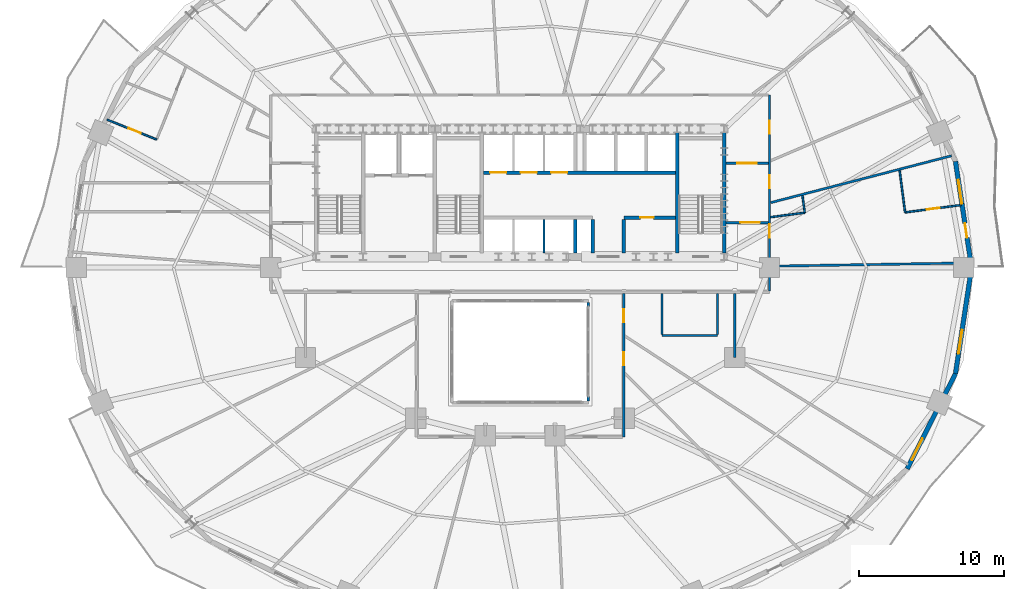
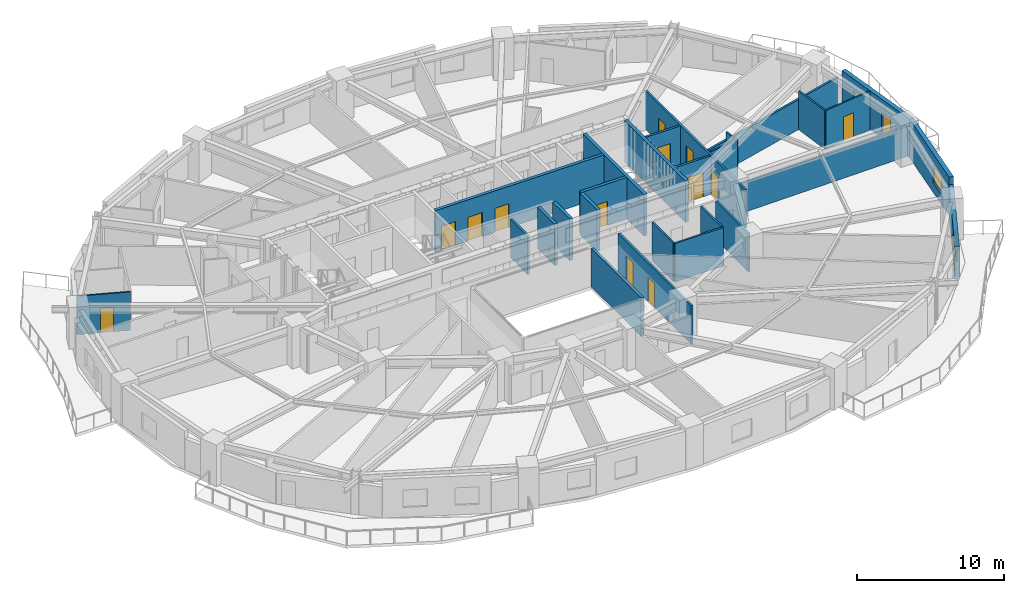
# One storey, part 11 of 17: 27 walls, 14 doors, 3 windows, 17 openings.
"""IFC4 building model written with IfcOpenShell, lengths in metres."""

from ifc_helpers import new_model, si_unit, direction, frame, frame_2d, origin, place, context, subcontext, project, spatial, rectangle, extrude, material, layer, layer_set, type_object, element, fill, save


model = new_model("IFC4")

# Units and contexts
model_context = context("Model", 3, precision=1e-05, world=origin(), true_north=direction((0.0, 1.0)))
body_context = subcontext(model_context, "Body", "Model", "MODEL_VIEW")
ifc_project = project(units=[si_unit("LENGTHUNIT", "METRE"), si_unit("AREAUNIT", "SQUARE_METRE"), si_unit("VOLUMEUNIT", "CUBIC_METRE"), si_unit("PLANEANGLEUNIT", "RADIAN"), si_unit("MASSUNIT", "GRAM", prefix="KILO")], contexts=[model_context])

# Site, building, storey
site_placement = place(None, origin())
site = spatial("IfcSite", under=ifc_project, at=site_placement, CompositionType="ELEMENT")
building_placement = place(site_placement, origin())
building = spatial("IfcBuilding", under=site, at=building_placement, Name="Haldorwick Loom Tower", CompositionType="ELEMENT")
storey_placement = place(building_placement, frame((0.0, 0.0, 34.35009765625)))
storey = spatial("IfcBuildingStorey", under=building, at=storey_placement, Name="L08", CompositionType="ELEMENT", Elevation=34.35009765625)

# Wall, openings, door, window
ifc_material_1 = material(Name="Pressed Clay Face Brick and Insulated Masonry Backup Assembly", Category="masonry")
ifc_layer_1 = layer(ifc_material_1, 0.320068359375, Name="Pressed Clay Face Brick and Insulated Masonry Backup Assembly", Category="masonry")
ifc_layer_set_1 = layer_set([ifc_layer_1], Name="Pressed Clay Face Brick and Insulated Masonry Backup Assembly")
wall_type_1 = type_object("IfcWallType", Name="ARC-WL-EXT320", PredefinedType="STANDARD", material=ifc_layer_set_1)
wall_1_placement = place(storey_placement, frame((67.135986328125, 26.0, 0.0), z_axis=(0.0, 0.0, 1.0), x_axis=(-0.150476322528, 0.988613613278, 0.0)))
wall_1 = element("IfcWall", 1, at=wall_1_placement, inside=storey, type_object=wall_type_1, Name="L08 Brick Pier and Spandrel Wall 1", PredefinedType="STANDARD", context=body_context, shape_type="SweptSolid", body=[
    extrude(rectangle(XDim=7.40478515625, YDim=0.320068359375, at=frame_2d((3.702392578125, 0.0))), origin(), (0.0, 0.0, 1.0), 3.2099609375),
])
opening_1_placement = place(wall_1_placement, frame((2.087646484375, 0.0, 0.0)))
opening_1 = element("IfcOpeningElement", 2, at=opening_1_placement, cuts=wall_1, Name="Opening D-BL10", PredefinedType="OPENING", context=body_context, shape_type="SweptSolid", body=[
    extrude(rectangle(XDim=1.0, YDim=2.0400390625, at=frame_2d((0.5, 1.02001953125))), frame((0.0, 0.169921875, 0.0), z_axis=(0.0, -1.0, 0.0), x_axis=(1.0, 0.0, 0.0)), (0.0, 0.0, 1.0), 0.340087890625),
])
opening_2_placement = place(wall_1_placement, frame((4.459716796875, 0.0, 0.800048828125)))
opening_2 = element("IfcOpeningElement", 3, at=opening_2_placement, cuts=wall_1, Name="Opening W-01B", PredefinedType="OPENING", context=body_context, shape_type="SweptSolid", body=[
    extrude(rectangle(XDim=1.64990234375, YDim=1.449951171875, at=frame_2d((0.824951171875, 0.72509765625))), frame((0.0, 0.169921875, 0.0), z_axis=(0.0, -1.0, 0.0), x_axis=(1.0, 0.0, 0.0)), (0.0, 0.0, 1.0), 0.340087890625),
])
ifc_material_2 = material(Name="Thermally Broken Anodized Aluminium Curtain Wall Framing", Category="aluminium")
door_type_1 = type_object("IfcDoorType", Name="ARC-DR-BAL100", OperationType="NOTDEFINED", PredefinedType="DOOR", material=ifc_material_2)
door_1_placement = place(opening_1_placement, origin())
door_1 = element("IfcDoor", 4, at=door_1_placement, inside=storey, type_object=door_type_1, Name="L08 Outdoor Terrace Door SLB-L08-BAL_ENE", OperationType="SINGLE_SWING_RIGHT", OverallHeight=2.0400390625, OverallWidth=1.0, PredefinedType="DOOR", context=body_context, shape_type="SweptSolid", body=[
    extrude(rectangle(XDim=1.0, YDim=2.0400390625, at=frame_2d((0.5, 1.02001953125))), frame((0.0, 0.02490234375, 0.0), z_axis=(0.0, -1.0, 0.0), x_axis=(1.0, 0.0, 0.0)), (0.0, 0.0, 1.0), 0.050048828125),
])
fill(opening_1, door_1)
ifc_material_3 = material(Name="Triple-Glazed Low-E Argon Insulated Glazing Unit", Category="glass")
window_type = type_object("IfcWindowType", Name="ARC-WIN-W165", PartitioningType="SINGLE_PANEL", PredefinedType="WINDOW", material=ifc_material_3)
window_1_placement = place(opening_2_placement, origin())
window_1 = element("IfcWindow", 5, at=window_1_placement, inside=storey, type_object=window_type, Name="L08 Deep-Set Zone 7A Window 1", OverallHeight=1.449951171875, OverallWidth=1.64990234375, PartitioningType="SINGLE_PANEL", PredefinedType="WINDOW", context=body_context, shape_type="SweptSolid", body=[
    extrude(rectangle(XDim=1.64990234375, YDim=1.449951171875, at=frame_2d((0.824951171875, 0.72509765625))), frame((0.0, 0.030029296875, 0.0), z_axis=(0.0, -1.0, 0.0), x_axis=(1.0, 0.0, 0.0)), (0.0, 0.0, 1.0), 0.06005859375),
])
fill(opening_2, window_1)

# Wall, opening, window
wall_2_placement = place(storey_placement, frame((62.688720703125, 12.119140625, 0.0), z_axis=(0.0, 0.0, 1.0), x_axis=(0.452950855928, 0.891535485617, 0.0)))
wall_2 = element("IfcWall", 6, at=wall_2_placement, inside=storey, type_object=wall_type_1, Name="L08 Brick Pier and Spandrel Wall 23", PredefinedType="STANDARD", context=body_context, shape_type="SweptSolid", body=[
    extrude(rectangle(XDim=7.3583984375, YDim=0.320068359375, at=frame_2d((3.67919921875, 0.0))), origin(), (0.0, 0.0, 1.0), 2.56884765625),
])
opening_3_placement = place(wall_2_placement, frame((0.69921875, 0.0, 0.800048828125)))
opening_3 = element("IfcOpeningElement", 7, at=opening_3_placement, cuts=wall_2, Name="Opening W-01B", PredefinedType="OPENING", context=body_context, shape_type="SweptSolid", body=[
    extrude(rectangle(XDim=1.64990234375, YDim=1.449951171875, at=frame_2d((0.824951171875, 0.72509765625))), frame((0.0, 0.169921875, 0.0), z_axis=(0.0, -1.0, 0.0), x_axis=(1.0, 0.0, 0.0)), (0.0, 0.0, 1.0), 0.340087890625),
])
window_2_placement = place(opening_3_placement, origin())
window_2 = element("IfcWindow", 8, at=window_2_placement, inside=storey, type_object=window_type, Name="L08 Deep-Set Zone 7A Window 23", OverallHeight=1.449951171875, OverallWidth=1.64990234375, PartitioningType="SINGLE_PANEL", PredefinedType="WINDOW", context=body_context, shape_type="SweptSolid", body=[
    extrude(rectangle(XDim=1.64990234375, YDim=1.449951171875, at=frame_2d((0.824951171875, 0.72509765625))), frame((0.0, 0.030029296875, 0.0), z_axis=(0.0, -1.0, 0.0), x_axis=(1.0, 0.0, 0.0)), (0.0, 0.0, 1.0), 0.06005859375),
])
fill(opening_3, window_2)

wall_3_placement = place(storey_placement, frame((66.021728515625, 18.679443359375, 0.0), z_axis=(0.0, 0.0, 1.0), x_axis=(0.150476322528, 0.988613613278, 0.0)))
wall_3 = element("IfcWall", 9, at=wall_3_placement, inside=storey, type_object=wall_type_1, Name="L08 Brick Pier and Spandrel Wall 24", PredefinedType="STANDARD", context=body_context, shape_type="SweptSolid", body=[
    extrude(rectangle(XDim=7.40478515625, YDim=0.320068359375, at=frame_2d((3.702392578125, 0.0))), origin(), (0.0, 0.0, 1.0), 3.2099609375),
])
opening_4_placement = place(wall_3_placement, frame((1.396484375, 0.0, 0.800048828125)))
opening_4 = element("IfcOpeningElement", 10, at=opening_4_placement, cuts=wall_3, Name="Opening W-01B", PredefinedType="OPENING", context=body_context, shape_type="SweptSolid", body=[
    extrude(rectangle(XDim=1.64990234375, YDim=1.449951171875, at=frame_2d((0.824951171875, 0.72509765625))), frame((0.0, 0.169921875, 0.0), z_axis=(0.0, -1.0, 0.0), x_axis=(1.0, 0.0, 0.0)), (0.0, 0.0, 1.0), 0.340087890625),
])
window_3_placement = place(opening_4_placement, origin())
window_3 = element("IfcWindow", 11, at=window_3_placement, inside=storey, type_object=window_type, Name="L08 Deep-Set Zone 7A Window 24", OverallHeight=1.449951171875, OverallWidth=1.64990234375, PartitioningType="SINGLE_PANEL", PredefinedType="WINDOW", context=body_context, shape_type="SweptSolid", body=[
    extrude(rectangle(XDim=1.64990234375, YDim=1.449951171875, at=frame_2d((0.824951171875, 0.72509765625))), frame((0.0, 0.030029296875, 0.0), z_axis=(0.0, -1.0, 0.0), x_axis=(1.0, 0.0, 0.0)), (0.0, 0.0, 1.0), 0.06005859375),
])
fill(opening_4, window_3)

# Wall, openings, doors
ifc_material_4 = material(Name="Fire-Rated Type X Gypsum Stud Assembly EI 60")
ifc_layer_2 = layer(ifc_material_4, 0.159912109375, Name="Fire-Rated Type X Gypsum Stud Assembly EI 60")
ifc_layer_set_2 = layer_set([ifc_layer_2], Name="Fire-Rated Type X Gypsum Stud Assembly EI 60")
wall_type_2 = type_object("IfcWallType", Name="ARC-WL-FIRE160", PredefinedType="PARTITIONING", material=ifc_layer_set_2)
wall_4_placement = place(storey_placement, frame((53.199951171875, 24.383056640625, 0.0), z_axis=(0.0, 0.0, 1.0), x_axis=(0.0, 1.0, 0.0)))
wall_4 = element("IfcWall", 12, at=wall_4_placement, inside=storey, type_object=wall_type_2, Name="L08 Residential Fire Partition L08-CR-E0", PredefinedType="PARTITIONING", context=body_context, shape_type="SweptSolid", body=[
    extrude(rectangle(XDim=13.516845703125, YDim=0.159912109375, at=frame_2d((6.75830078125, 0.0))), origin(), (0.0, 0.0, 1.0), 3.19482421875),
])
opening_5_placement = place(wall_4_placement, frame((10.85107421875, 0.0, 0.0)))
opening_5 = element("IfcOpeningElement", 13, at=opening_5_placement, cuts=wall_4, Name="Opening D-FD60A", PredefinedType="OPENING", context=body_context, shape_type="SweptSolid", body=[
    extrude(rectangle(XDim=0.89990234375, YDim=2.0, at=frame_2d((0.449951171875, 1.0))), frame((0.0, 0.08984375, 0.0), z_axis=(0.0, -1.0, 0.0), x_axis=(1.0, 0.0, 0.0)), (0.0, 0.0, 1.0), 0.179931640625),
])
opening_6_placement = place(wall_4_placement, frame((3.661865234375, 0.0, 0.0)))
opening_6 = element("IfcOpeningElement", 14, at=opening_6_placement, cuts=wall_4, Name="Opening D-FL95", PredefinedType="OPENING", context=body_context, shape_type="SweptSolid", body=[
    extrude(rectangle(XDim=0.949951171875, YDim=2.0400390625, at=frame_2d((0.47509765625, 1.02001953125))), frame((0.0, 0.08984375, 0.0), z_axis=(0.0, -1.0, 0.0), x_axis=(1.0, 0.0, 0.0)), (0.0, 0.0, 1.0), 0.179931640625),
])
opening_7_placement = place(wall_4_placement, frame((7.083984375, 0.0, 0.0)))
opening_7 = element("IfcOpeningElement", 15, at=opening_7_placement, cuts=wall_4, Name="Opening D-FD60A", PredefinedType="OPENING", context=body_context, shape_type="SweptSolid", body=[
    extrude(rectangle(XDim=0.89990234375, YDim=2.0, at=frame_2d((0.449951171875, 1.0))), frame((0.0, 0.08984375, 0.0), z_axis=(0.0, -1.0, 0.0), x_axis=(1.0, 0.0, 0.0)), (0.0, 0.0, 1.0), 0.179931640625),
])
ifc_material_5 = material(Name="Hollow Steel Fire Door Assembly", Category="steel")
door_type_2 = type_object("IfcDoorType", Name="ARC-DR-FD60-90", OperationType="NOTDEFINED", PredefinedType="DOOR", material=ifc_material_5)
door_2_placement = place(opening_5_placement, origin())
door_2 = element("IfcDoor", 16, at=door_2_placement, inside=storey, type_object=door_type_2, Name="L08 L08 North Residential Corridor to Shared Resident Dining Hall 10 Doo", OperationType="SINGLE_SWING_LEFT", OverallHeight=2.0, OverallWidth=0.89990234375, PredefinedType="DOOR", context=body_context, shape_type="SweptSolid", body=[
    extrude(rectangle(XDim=0.89990234375, YDim=2.0, at=frame_2d((0.449951171875, 1.0))), frame((0.0, 0.02490234375, 0.0), z_axis=(0.0, -1.0, 0.0), x_axis=(1.0, 0.0, 0.0)), (0.0, 0.0, 1.0), 0.050048828125),
])
fill(opening_5, door_2)
door_3_placement = place(opening_7_placement, origin())
door_3 = element("IfcDoor", 17, at=door_3_placement, inside=storey, type_object=door_type_2, Name="L08 L08 East Residential Corridor to Shared Resident Dining Hall 9 Door", OperationType="SINGLE_SWING_RIGHT", OverallHeight=2.0, OverallWidth=0.89990234375, PredefinedType="DOOR", context=body_context, shape_type="SweptSolid", body=[
    extrude(rectangle(XDim=0.89990234375, YDim=2.0, at=frame_2d((0.449951171875, 1.0))), frame((0.0, 0.02490234375, 0.0), z_axis=(0.0, -1.0, 0.0), x_axis=(1.0, 0.0, 0.0)), (0.0, 0.0, 1.0), 0.050048828125),
])
fill(opening_7, door_3)
ifc_material_6 = material(Name="Solid Core Birch Architectural Door")
door_type_3 = type_object("IfcDoorType", Name="ARC-DR-FLAT95", OperationType="NOTDEFINED", PredefinedType="DOOR", material=ifc_material_6)
door_4_placement = place(opening_6_placement, origin())
door_4 = element("IfcDoor", 18, at=door_4_placement, inside=storey, type_object=door_type_3, Name="L08 L08 Central Residential Corridor to Unit 08H Kitchen and Studio Livi", OperationType="SINGLE_SWING_RIGHT", OverallHeight=2.0400390625, OverallWidth=0.949951171875, PredefinedType="DOOR", context=body_context, shape_type="SweptSolid", body=[
    extrude(rectangle(XDim=0.949951171875, YDim=2.0400390625, at=frame_2d((0.47509765625, 1.02001953125))), frame((0.0, 0.02490234375, 0.0), z_axis=(0.0, -1.0, 0.0), x_axis=(1.0, 0.0, 0.0)), (0.0, 0.0, 1.0), 0.050048828125),
])
fill(opening_6, door_4)

# Wall, opening, door
wall_5_placement = place(storey_placement, frame((50.193115234375, 29.10009765625, 0.0), z_axis=(0.0, 0.0, 1.0), x_axis=(1.0, 0.0, 0.0)))
wall_5 = element("IfcWall", 19, at=wall_5_placement, inside=storey, type_object=wall_type_2, Name="L08 Residential Fire Partition L08-CR-ESJ", PredefinedType="PARTITIONING", context=body_context, shape_type="SweptSolid", body=[
    extrude(rectangle(XDim=2.923828125, YDim=0.159912109375, at=frame_2d((1.4619140625, 0.0))), origin(), (0.0, 0.0, 1.0), 3.19482421875),
])
opening_8_placement = place(wall_5_placement, frame((0.99560546875, 0.0, 0.0)))
opening_8 = element("IfcOpeningElement", 20, at=opening_8_placement, cuts=wall_5, Name="Opening D-CR15", PredefinedType="OPENING", context=body_context, shape_type="SweptSolid", body=[
    extrude(rectangle(XDim=1.35009765625, YDim=2.0, at=frame_2d((0.675048828125, 1.0))), frame((0.0, 0.08984375, 0.0), z_axis=(0.0, -1.0, 0.0), x_axis=(1.0, 0.0, 0.0)), (0.0, 0.0, 1.0), 0.179931640625),
])
ifc_material_7 = material(Name="Thermally Broken Anodized Aluminium and Tempered Glass", Category="aluminium")
door_type_4 = type_object("IfcDoorType", Name="ARC-DR-COR150", OperationType="NOTDEFINED", PredefinedType="DOOR", material=ifc_material_7)
door_5_placement = place(opening_8_placement, origin())
door_5 = element("IfcDoor", 21, at=door_5_placement, inside=storey, type_object=door_type_4, Name="L08 L08 East Residential Corridor to L08 Central Residential Corridor Do", OperationType="DOUBLE_DOOR_SINGLE_SWING", OverallHeight=2.0, OverallWidth=1.35009765625, PredefinedType="DOOR", context=body_context, shape_type="SweptSolid", body=[
    extrude(rectangle(XDim=1.35009765625, YDim=2.0, at=frame_2d((0.675048828125, 1.0))), frame((0.0, 0.02490234375, 0.0), z_axis=(0.0, -1.0, 0.0), x_axis=(1.0, 0.0, 0.0)), (0.0, 0.0, 1.0), 0.050048828125),
])
fill(opening_8, door_5)

wall_6_placement = place(storey_placement, frame((50.193115234375, 33.199951171875, 0.0), z_axis=(0.0, 0.0, 1.0), x_axis=(1.0, 0.0, 0.0)))
wall_6 = element("IfcWall", 22, at=wall_6_placement, inside=storey, type_object=wall_type_2, Name="L08 Residential Fire Partition L08-CR-ENJ", PredefinedType="PARTITIONING", context=body_context, shape_type="SweptSolid", body=[
    extrude(rectangle(XDim=2.923828125, YDim=0.159912109375, at=frame_2d((1.4619140625, 0.0))), origin(), (0.0, 0.0, 1.0), 3.19482421875),
])
opening_9_placement = place(wall_6_placement, frame((0.787109375, 0.0, 0.0)))
opening_9 = element("IfcOpeningElement", 23, at=opening_9_placement, cuts=wall_6, Name="Opening D-CR15", PredefinedType="OPENING", context=body_context, shape_type="SweptSolid", body=[
    extrude(rectangle(XDim=1.35009765625, YDim=2.0, at=frame_2d((0.675048828125, 1.0))), frame((0.0, 0.08984375, 0.0), z_axis=(0.0, -1.0, 0.0), x_axis=(1.0, 0.0, 0.0)), (0.0, 0.0, 1.0), 0.179931640625),
])
door_6_placement = place(opening_9_placement, origin())
door_6 = element("IfcDoor", 24, at=door_6_placement, inside=storey, type_object=door_type_4, Name="L08 L08 North Residential Corridor to L08 East Residential Corridor Door", OperationType="DOUBLE_DOOR_SINGLE_SWING", OverallHeight=2.0, OverallWidth=1.35009765625, PredefinedType="DOOR", context=body_context, shape_type="SweptSolid", body=[
    extrude(rectangle(XDim=1.35009765625, YDim=2.0, at=frame_2d((0.675048828125, 1.0))), frame((0.0, 0.02490234375, 0.0), z_axis=(0.0, -1.0, 0.0), x_axis=(1.0, 0.0, 0.0)), (0.0, 0.0, 1.0), 0.050048828125),
])
fill(opening_9, door_6)

# Wall, openings, doors
wall_7_placement = place(storey_placement, frame((43.14990234375, 14.300048828125, 0.0), z_axis=(0.0, 0.0, 1.0), x_axis=(0.0, 1.0, 0.0)))
wall_7 = element("IfcWall", 25, at=wall_7_placement, inside=storey, type_object=wall_type_2, Name="L08 Residential Fire Partition L08-CR-AE", PredefinedType="PARTITIONING", context=body_context, shape_type="SweptSolid", body=[
    extrude(rectangle(XDim=9.9169921875, YDim=0.159912109375, at=frame_2d((4.95849609375, 0.0))), origin(), (0.0, 0.0, 1.0), 3.19482421875),
])
opening_10_placement = place(wall_7_placement, frame((7.92431640625, 0.0, 0.0)))
opening_10 = element("IfcOpeningElement", 26, at=opening_10_placement, cuts=wall_7, Name="Opening D-FD60A", PredefinedType="OPENING", context=body_context, shape_type="SweptSolid", body=[
    extrude(rectangle(XDim=0.89990234375, YDim=2.0, at=frame_2d((0.449951171875, 1.0))), frame((0.0, 0.08984375, 0.0), z_axis=(0.0, -1.0, 0.0), x_axis=(1.0, 0.0, 0.0)), (0.0, 0.0, 1.0), 0.179931640625),
])
opening_11_placement = place(wall_7_placement, frame((4.94921875, 0.0, 0.0)))
opening_11 = element("IfcOpeningElement", 27, at=opening_11_placement, cuts=wall_7, Name="Opening D-FD60A", PredefinedType="OPENING", context=body_context, shape_type="SweptSolid", body=[
    extrude(rectangle(XDim=0.89990234375, YDim=2.0, at=frame_2d((0.449951171875, 1.0))), frame((0.0, 0.08984375, 0.0), z_axis=(0.0, -1.0, 0.0), x_axis=(1.0, 0.0, 0.0)), (0.0, 0.0, 1.0), 0.179931640625),
])
door_7_placement = place(opening_10_placement, origin())
door_7 = element("IfcDoor", 28, at=door_7_placement, inside=storey, type_object=door_type_2, Name="L08 L08 South Atrium Corridor to Shared Resident Dining Hall 4 Door", OperationType="SINGLE_SWING_LEFT", OverallHeight=2.0, OverallWidth=0.89990234375, PredefinedType="DOOR", context=body_context, shape_type="SweptSolid", body=[
    extrude(rectangle(XDim=0.89990234375, YDim=2.0, at=frame_2d((0.449951171875, 1.0))), frame((0.0, 0.02490234375, 0.0), z_axis=(0.0, -1.0, 0.0), x_axis=(1.0, 0.0, 0.0)), (0.0, 0.0, 1.0), 0.050048828125),
])
fill(opening_10, door_7)
door_8_placement = place(opening_11_placement, origin())
door_8 = element("IfcDoor", 29, at=door_8_placement, inside=storey, type_object=door_type_2, Name="L08 L08 South Atrium Corridor to Community Music Hall 2 Door", OperationType="SINGLE_SWING_LEFT", OverallHeight=2.0, OverallWidth=0.89990234375, PredefinedType="DOOR", context=body_context, shape_type="SweptSolid", body=[
    extrude(rectangle(XDim=0.89990234375, YDim=2.0, at=frame_2d((0.449951171875, 1.0))), frame((0.0, 0.02490234375, 0.0), z_axis=(0.0, -1.0, 0.0), x_axis=(1.0, 0.0, 0.0)), (0.0, 0.0, 1.0), 0.050048828125),
])
fill(opening_11, door_8)

# Walls
wall_8_placement = place(storey_placement, frame((50.800048828125, 24.217041015625, 0.0), z_axis=(0.0, 0.0, 1.0), x_axis=(0.0, -1.0, 0.0)))
element("IfcWall", 30, at=wall_8_placement, inside=storey, type_object=wall_type_2, Name="L08 Residential Fire Partition L08-ICA-01", PredefinedType="PARTITIONING", context=body_context, shape_type="SweptSolid", body=[
    extrude(rectangle(XDim=4.4169921875, YDim=0.159912109375, at=frame_2d((2.20849609375, 0.0))), origin(), (0.0, 0.0, 1.0), 3.19482421875),
])
wall_9_placement = place(storey_placement, frame((53.282958984375, 30.477294921875, 0.0), z_axis=(0.0, 0.0, 1.0), x_axis=(0.968045992865, 0.250772717212, 0.0)))
element("IfcWall", 31, at=wall_9_placement, inside=storey, type_object=wall_type_2, Name="L08 Suite Split Wall", PredefinedType="PARTITIONING", context=body_context, shape_type="SweptSolid", body=[
    extrude(rectangle(XDim=12.881103515625, YDim=0.159912109375, at=frame_2d((6.4404296875, 0.0))), origin(), (0.0, 0.0, 1.0), 2.489990234375),
])
wall_10_placement = place(storey_placement, frame((53.282958984375, 26.09228515625, 0.0), z_axis=(0.0, 0.0, 1.0), x_axis=(0.999864932798, 0.016435210983, 0.0)))
element("IfcWall", 32, at=wall_10_placement, inside=storey, type_object=wall_type_2, Name="L08 Suite Split Wall", PredefinedType="PARTITIONING", context=body_context, shape_type="SweptSolid", body=[
    extrude(rectangle(XDim=13.74072265625, YDim=0.159912109375, at=frame_2d((6.870361328125, 0.0))), origin(), (0.0, 0.0, 1.0), 2.489990234375),
])
ifc_material_8 = material(Name="Fire-Rated Type X Gypsum Stud Assembly EI 120")
ifc_layer_3 = layer(ifc_material_8, 0.199951171875, Name="Fire-Rated Type X Gypsum Stud Assembly EI 120")
ifc_layer_set_3 = layer_set([ifc_layer_3], Name="Fire-Rated Type X Gypsum Stud Assembly EI 120")
wall_type_3 = type_object("IfcWallType", Name="ARC-WL-FIRE200", PredefinedType="PARTITIONING", material=ifc_layer_set_3)
wall_11_placement = place(storey_placement, frame((40.699951171875, 23.596923828125, 0.0), z_axis=(0.0, 0.0, 1.0), x_axis=(0.0, -1.0, 0.0)))
element("IfcWall", 33, at=wall_11_placement, inside=storey, type_object=wall_type_3, Name="L08 Atrium Fire Enclosure Wall E", PredefinedType="PARTITIONING", context=body_context, shape_type="SweptSolid", body=[
    extrude(rectangle(XDim=6.7939453125, YDim=0.199951171875, at=frame_2d((3.39697265625, 0.0))), origin(), (0.0, 0.0, 1.0), 3.19482421875),
])

# Wall, opening, door
ifc_material_9 = material(Name="Acoustic Gypsum Stud Assembly STC 55")
ifc_layer_4 = layer(ifc_material_9, 0.1201171875, Name="Acoustic Gypsum Stud Assembly STC 55")
ifc_layer_set_4 = layer_set([ifc_layer_4], Name="Acoustic Gypsum Stud Assembly STC 55")
wall_type_4 = type_object("IfcWallType", Name="ARC-WL-PART120", PredefinedType="PARTITIONING", material=ifc_layer_set_4)
wall_12_placement = place(storey_placement, frame((10.94091796875, 34.8251953125, 0.0), z_axis=(0.0, 0.0, 1.0), x_axis=(-0.928184566742, 0.372120155409, 0.0)))
wall_12 = element("IfcWall", 34, at=wall_12_placement, inside=storey, type_object=wall_type_4, Name="L08 Unit 08A Interior Partition", PredefinedType="PARTITIONING", context=body_context, shape_type="SweptSolid", body=[
    extrude(rectangle(XDim=3.6923828125, YDim=0.1201171875, at=frame_2d((1.84619140625, 0.0))), origin(), (0.0, 0.0, 1.0), 3.19482421875),
])
opening_12_placement = place(wall_12_placement, frame((1.18505859375, 0.0, 0.0)))
opening_12 = element("IfcOpeningElement", 35, at=opening_12_placement, cuts=wall_12, Name="Opening D-IN90", PredefinedType="OPENING", context=body_context, shape_type="SweptSolid", body=[
    extrude(rectangle(XDim=0.89990234375, YDim=2.0400390625, at=frame_2d((0.449951171875, 1.02001953125))), frame((0.0, 0.070068359375, 0.0), z_axis=(0.0, -1.0, 0.0), x_axis=(1.0, 0.0, 0.0)), (0.0, 0.0, 1.0), 0.14013671875),
])
door_type_5 = type_object("IfcDoorType", Name="ARC-DR-INT90", OperationType="NOTDEFINED", PredefinedType="DOOR", material=ifc_material_6)
door_9_placement = place(opening_12_placement, origin())
door_9 = element("IfcDoor", 36, at=door_9_placement, inside=storey, type_object=door_type_5, Name="L08 Unit 08A Kitchen and Living Room to Unit 08A Bedroom 1 Door", OperationType="SINGLE_SWING_RIGHT", OverallHeight=2.0400390625, OverallWidth=0.89990234375, PredefinedType="DOOR", context=body_context, shape_type="SweptSolid", body=[
    extrude(rectangle(XDim=0.89990234375, YDim=2.0400390625, at=frame_2d((0.449951171875, 1.02001953125))), frame((0.0, 0.02490234375, 0.0), z_axis=(0.0, -1.0, 0.0), x_axis=(1.0, 0.0, 0.0)), (0.0, 0.0, 1.0), 0.050048828125),
])
fill(opening_12, door_9)

# Walls
wall_13_placement = place(storey_placement, frame((55.625732421875, 29.782470703125, 0.0), z_axis=(0.0, 0.0, 1.0), x_axis=(-0.12988475407, 0.991529097233, 0.0)))
element("IfcWall", 37, at=wall_13_placement, inside=storey, type_object=wall_type_4, Name="L08 Unit 08H Interior Partition", PredefinedType="PARTITIONING", context=body_context, shape_type="SweptSolid", body=[
    extrude(rectangle(XDim=1.18603515625, YDim=0.1201171875, at=frame_2d((0.593017578125, 0.0))), origin(), (0.0, 0.0, 1.0), 3.19482421875),
])
wall_14_placement = place(storey_placement, frame((53.282958984375, 29.475341796875, 0.0), z_axis=(0.0, 0.0, 1.0), x_axis=(0.991516081056, 0.129984079822, 0.0)))
element("IfcWall", 38, at=wall_14_placement, inside=storey, type_object=wall_type_4, Name="L08 Unit 08H Interior Partition", PredefinedType="PARTITIONING", context=body_context, shape_type="SweptSolid", body=[
    extrude(rectangle(XDim=2.36279296875, YDim=0.1201171875, at=frame_2d((1.181396484375, 0.0))), origin(), (0.0, 0.0, 1.0), 3.19482421875),
])
wall_15_placement = place(storey_placement, frame((62.54833984375, 29.8037109375, 0.0), z_axis=(0.0, 0.0, 1.0), x_axis=(-0.129919288039, 0.991524572865, 0.0)))
element("IfcWall", 39, at=wall_15_placement, inside=storey, type_object=wall_type_4, Name="L08 Unit 08H Interior Partition", PredefinedType="PARTITIONING", context=body_context, shape_type="SweptSolid", body=[
    extrude(rectangle(XDim=2.91455078125, YDim=0.1201171875, at=frame_2d((1.457275390625, 0.0))), origin(), (0.0, 0.0, 1.0), 3.19482421875),
])

# Wall, opening, door
wall_16_placement = place(storey_placement, frame((62.54833984375, 29.8037109375, 0.0), z_axis=(0.0, 0.0, 1.0), x_axis=(0.991523421212, 0.129928076982, 0.0)))
wall_16 = element("IfcWall", 40, at=wall_16_placement, inside=storey, type_object=wall_type_4, Name="L08 Unit 08H Interior Partition", PredefinedType="PARTITIONING", context=body_context, shape_type="SweptSolid", body=[
    extrude(rectangle(XDim=3.89892578125, YDim=0.1201171875, at=frame_2d((1.949462890625, 0.0))), origin(), (0.0, 0.0, 1.0), 3.19482421875),
])
opening_13_placement = place(wall_16_placement, frame((1.509521484375, 0.0, 0.0)))
opening_13 = element("IfcOpeningElement", 41, at=opening_13_placement, cuts=wall_16, Name="Opening D-BT88", PredefinedType="OPENING", context=body_context, shape_type="SweptSolid", body=[
    extrude(rectangle(XDim=0.8798828125, YDim=2.02001953125, at=frame_2d((0.43994140625, 1.010009765625))), frame((0.0, 0.070068359375, 0.0), z_axis=(0.0, -1.0, 0.0), x_axis=(1.0, 0.0, 0.0)), (0.0, 0.0, 1.0), 0.14013671875),
])
door_type_6 = type_object("IfcDoorType", Name="ARC-DR-BATH88", OperationType="NOTDEFINED", PredefinedType="DOOR", material=ifc_material_6)
door_10_placement = place(opening_13_placement, origin())
door_10 = element("IfcDoor", 42, at=door_10_placement, inside=storey, type_object=door_type_6, Name="L08 Unit 08H Bathroom to Unit 08H Kitchen and Studio Living Room Door", OperationType="SINGLE_SWING_RIGHT", OverallHeight=2.02001953125, OverallWidth=0.8798828125, PredefinedType="DOOR", context=body_context, shape_type="SweptSolid", body=[
    extrude(rectangle(XDim=0.8798828125, YDim=2.02001953125, at=frame_2d((0.43994140625, 1.010009765625))), frame((0.0, 0.02490234375, 0.0), z_axis=(0.0, -1.0, 0.0), x_axis=(1.0, 0.0, 0.0)), (0.0, 0.0, 1.0), 0.050048828125),
])
fill(opening_13, door_10)

# Walls
ifc_layer_5 = layer(ifc_material_4, 0.139892578125, Name="Fire-Rated Type X Gypsum Stud Assembly EI 60")
ifc_layer_set_5 = layer_set([ifc_layer_5], Name="Fire-Rated Type X Gypsum Stud Assembly EI 60")
wall_type_5 = type_object("IfcWallType", Name="ARC-WL-PART140", PredefinedType="PARTITIONING", material=ifc_layer_set_5)
wall_17_placement = place(storey_placement, frame((45.800048828125, 21.300048828125, 0.0), z_axis=(0.0, 0.0, 1.0), x_axis=(1.0, 0.0, 0.0)))
element("IfcWall", 43, at=wall_17_placement, inside=storey, type_object=wall_type_5, Name="L08 Residential Fire Partition L08-CWC-S", PredefinedType="PARTITIONING", context=body_context, shape_type="SweptSolid", body=[
    extrude(rectangle(XDim=3.800048828125, YDim=0.139892578125, at=frame_2d((1.89990234375, 0.0))), origin(), (0.0, 0.0, 1.0), 3.19482421875),
])
for number, where, z_axis, x_axis, name in (
    (44, (45.800048828125, 21.373046875, 0.0), (0.0, 0.0, 1.0), (0.0, 1.0, 0.0), "L08 Residential Fire Partition L08-CWC-W"),
    (45, (49.60009765625, 21.373046875, 0.0), (0.0, 0.0, 1.0), (0.0, 1.0, 0.0), "L08 Residential Fire Partition L08-CWC-E"),
):
    element("IfcWall", number, at=place(storey_placement, frame(where, z_axis=z_axis, x_axis=x_axis)), inside=storey, type_object=wall_type_5, Name=name, PredefinedType="PARTITIONING", context=body_context, shape_type="SweptSolid", body=[
        extrude(rectangle(XDim=2.843994140625, YDim=0.139892578125, at=frame_2d((1.421875, 0.0))), origin(), (0.0, 0.0, 1.0), 3.19482421875),
    ])
ifc_layer_6 = layer(ifc_material_8, 0.1650390625, Name="Fire-Rated Type X Gypsum Stud Assembly EI 120")
ifc_layer_set_6 = layer_set([ifc_layer_6], Name="Fire-Rated Type X Gypsum Stud Assembly EI 120")
wall_type_6 = type_object("IfcWallType", Name="ARC-WL-SHAFT160", PredefinedType="MOVABLE", material=ifc_layer_set_6)
wall_18_placement = place(storey_placement, frame((37.64990234375, 27.0029296875, 0.0), z_axis=(0.0, 0.0, 1.0), x_axis=(0.0, 1.0, 0.0)))
element("IfcWall", 46, at=wall_18_placement, inside=storey, type_object=wall_type_6, Name="L08 Mid-Rise Hoistway Divider 2", PredefinedType="MOVABLE", context=body_context, shape_type="SweptSolid", body=[
    extrude(rectangle(XDim=2.323974609375, YDim=0.159912109375, at=frame_2d((1.162109375, 0.0))), origin(), (0.0, 0.0, 1.0), 3.19482421875),
])
ifc_material_10 = material(Name="Concrete C50 (50 MPa)", Category="concrete")
ifc_layer_7 = layer(ifc_material_10, 0.239990234375, Name="Concrete C50 (50 MPa)", Category="concrete")
ifc_layer_set_7 = layer_set([ifc_layer_7], Name="Concrete C50 (50 MPa)")
wall_type_7 = type_object("IfcWallType", Name="STR-WL-SHAFT240", PredefinedType="SHEAR", material=ifc_layer_set_7)
for number, where, z_axis, x_axis, name in (
    (47, (50.070068359375, 27.0029296875, 0.0), (0.0, 0.0, 1.0), (0.0, 1.0, 0.0), "L08 Core Shear Wall E"),
    (48, (46.830078125, 27.0029296875, 0.0), (0.0, 0.0, 1.0), (0.0, 1.0, 0.0), "L08 Core Shear Wall 4"),
):
    element("IfcWall", number, at=place(storey_placement, frame(where, z_axis=z_axis, x_axis=x_axis)), inside=storey, type_object=wall_type_7, Name=name, PredefinedType="SHEAR", context=body_context, shape_type="SweptSolid", body=[
        extrude(rectangle(XDim=8.294189453125, YDim=0.239990234375, at=frame_2d((4.14697265625, 0.0))), origin(), (0.0, 0.0, 1.0), 3.449951171875),
    ])

# Wall, openings, doors
wall_19_placement = place(storey_placement, frame((33.492919921875, 32.550048828125, 0.0), z_axis=(0.0, 0.0, 1.0), x_axis=(1.0, 0.0, 0.0)))
wall_19 = element("IfcWall", 49, at=wall_19_placement, inside=storey, type_object=wall_type_7, Name="L08 Core Shear Wall LN", PredefinedType="SHEAR", context=body_context, shape_type="SweptSolid", body=[
    extrude(rectangle(XDim=13.214111328125, YDim=0.239990234375, at=frame_2d((6.60693359375, 0.0))), origin(), (0.0, 0.0, 1.0), 3.449951171875),
])
opening_14_placement = place(wall_19_placement, frame((0.447021484375, 0.0, 0.0)))
opening_14 = element("IfcOpeningElement", 50, at=opening_14_placement, cuts=wall_19, Name="Opening LD-L1", PredefinedType="OPENING", context=body_context, shape_type="SweptSolid", body=[
    extrude(rectangle(XDim=1.1201171875, YDim=2.0, at=frame_2d((0.56005859375, 1.0))), frame((0.0, 0.1298828125, 0.0), z_axis=(0.0, -1.0, 0.0), x_axis=(1.0, 0.0, 0.0)), (0.0, 0.0, 1.0), 0.260009765625),
])
opening_15_placement = place(wall_19_placement, frame((2.547119140625, 0.0, 0.0)))
opening_15 = element("IfcOpeningElement", 51, at=opening_15_placement, cuts=wall_19, Name="Opening LD-L2", PredefinedType="OPENING", context=body_context, shape_type="SweptSolid", body=[
    extrude(rectangle(XDim=1.1201171875, YDim=2.0, at=frame_2d((0.56005859375, 1.0))), frame((0.0, 0.1298828125, 0.0), z_axis=(0.0, -1.0, 0.0), x_axis=(1.0, 0.0, 0.0)), (0.0, 0.0, 1.0), 0.260009765625),
])
opening_16_placement = place(wall_19_placement, frame((4.64697265625, 0.0, 0.0)))
opening_16 = element("IfcOpeningElement", 52, at=opening_16_placement, cuts=wall_19, Name="Opening LD-L3", PredefinedType="OPENING", context=body_context, shape_type="SweptSolid", body=[
    extrude(rectangle(XDim=1.1201171875, YDim=2.0, at=frame_2d((0.56005859375, 1.0))), frame((0.0, 0.1298828125, 0.0), z_axis=(0.0, -1.0, 0.0), x_axis=(1.0, 0.0, 0.0)), (0.0, 0.0, 1.0), 0.260009765625),
])
door_type_7 = type_object("IfcDoorType", Name="ARC-DR-LD-PAX", OperationType="NOTDEFINED", PredefinedType="USERDEFINED", material=ifc_material_5)
door_11_placement = place(opening_14_placement, origin())
door_11 = element("IfcDoor", 53, at=door_11_placement, inside=storey, type_object=door_type_7, Name="L08 Lift LF-L1 Sliding Landing Door", ObjectType="LANDING DOOR", OperationType="DOUBLE_DOOR_SLIDING", OverallHeight=2.0, OverallWidth=1.1201171875, PredefinedType="USERDEFINED", context=body_context, shape_type="SweptSolid", body=[
    extrude(rectangle(XDim=1.1201171875, YDim=2.0, at=frame_2d((0.56005859375, 1.0))), frame((0.0, 0.02490234375, 0.0), z_axis=(0.0, -1.0, 0.0), x_axis=(1.0, 0.0, 0.0)), (0.0, 0.0, 1.0), 0.050048828125),
])
fill(opening_14, door_11)
door_12_placement = place(opening_15_placement, origin())
door_12 = element("IfcDoor", 54, at=door_12_placement, inside=storey, type_object=door_type_7, Name="L08 Lift LF-L2 Sliding Landing Door", ObjectType="LANDING DOOR", OperationType="DOUBLE_DOOR_SLIDING", OverallHeight=2.0, OverallWidth=1.1201171875, PredefinedType="USERDEFINED", context=body_context, shape_type="SweptSolid", body=[
    extrude(rectangle(XDim=1.1201171875, YDim=2.0, at=frame_2d((0.56005859375, 1.0))), frame((0.0, 0.02490234375, 0.0), z_axis=(0.0, -1.0, 0.0), x_axis=(1.0, 0.0, 0.0)), (0.0, 0.0, 1.0), 0.050048828125),
])
fill(opening_15, door_12)
door_13_placement = place(opening_16_placement, origin())
door_13 = element("IfcDoor", 55, at=door_13_placement, inside=storey, type_object=door_type_7, Name="L08 Lift LF-L3 Sliding Landing Door", ObjectType="LANDING DOOR", OperationType="DOUBLE_DOOR_SLIDING", OverallHeight=2.0, OverallWidth=1.1201171875, PredefinedType="USERDEFINED", context=body_context, shape_type="SweptSolid", body=[
    extrude(rectangle(XDim=1.1201171875, YDim=2.0, at=frame_2d((0.56005859375, 1.0))), frame((0.0, 0.02490234375, 0.0), z_axis=(0.0, -1.0, 0.0), x_axis=(1.0, 0.0, 0.0)), (0.0, 0.0, 1.0), 0.050048828125),
])
fill(opening_16, door_13)

# Wall, opening, door
wall_20_placement = place(storey_placement, frame((43.14990234375, 29.449951171875, 0.0), z_axis=(0.0, 0.0, 1.0), x_axis=(1.0, 0.0, 0.0)))
wall_20 = element("IfcWall", 56, at=wall_20_placement, inside=storey, type_object=wall_type_7, Name="L08 Core Shear Wall LS2", PredefinedType="SHEAR", context=body_context, shape_type="SweptSolid", body=[
    extrude(rectangle(XDim=3.55712890625, YDim=0.239990234375, at=frame_2d((1.778564453125, 0.0))), origin(), (0.0, 0.0, 1.0), 3.449951171875),
])
opening_17_placement = place(wall_20_placement, frame((1.14990234375, 0.0, 0.0)))
opening_17 = element("IfcOpeningElement", 57, at=opening_17_placement, cuts=wall_20, Name="Opening D-FD60A", PredefinedType="OPENING", context=body_context, shape_type="SweptSolid", body=[
    extrude(rectangle(XDim=0.89990234375, YDim=2.0, at=frame_2d((0.449951171875, 1.0))), frame((0.0, 0.1298828125, 0.0), z_axis=(0.0, -1.0, 0.0), x_axis=(1.0, 0.0, 0.0)), (0.0, 0.0, 1.0), 0.260009765625),
])
door_14_placement = place(opening_17_placement, origin())
door_14 = element("IfcDoor", 58, at=door_14_placement, inside=storey, type_object=door_type_2, Name="L08 Electrical Metering Door", OperationType="SINGLE_SWING_LEFT", OverallHeight=2.0, OverallWidth=0.89990234375, PredefinedType="DOOR", context=body_context, shape_type="SweptSolid", body=[
    extrude(rectangle(XDim=0.89990234375, YDim=2.0, at=frame_2d((0.449951171875, 1.0))), frame((0.0, 0.02490234375, 0.0), z_axis=(0.0, -1.0, 0.0), x_axis=(1.0, 0.0, 0.0)), (0.0, 0.0, 1.0), 0.050048828125),
])
fill(opening_17, door_14)

# Walls
for number, where, z_axis, x_axis, name in (
    (59, (41.0, 27.0029296875, 0.0), (0.0, 0.0, 1.0), (0.0, 1.0, 0.0), "L08 Core Shear Wall THW"),
    (60, (43.14990234375, 27.0029296875, 0.0), (0.0, 0.0, 1.0), (0.0, 1.0, 0.0), "L08 Core Shear Wall THE"),
    (61, (39.800048828125, 27.0029296875, 0.0), (0.0, 0.0, 1.0), (0.0, 1.0, 0.0), "L08 Core Shear Wall MRW"),
):
    element("IfcWall", number, at=place(storey_placement, frame(where, z_axis=z_axis, x_axis=x_axis)), inside=storey, type_object=wall_type_7, Name=name, PredefinedType="SHEAR", context=body_context, shape_type="SweptSolid", body=[
        extrude(rectangle(XDim=2.323974609375, YDim=0.239990234375, at=frame_2d((1.162109375, 0.0))), origin(), (0.0, 0.0, 1.0), 3.449951171875),
    ])

save(model, "model.ifc")
